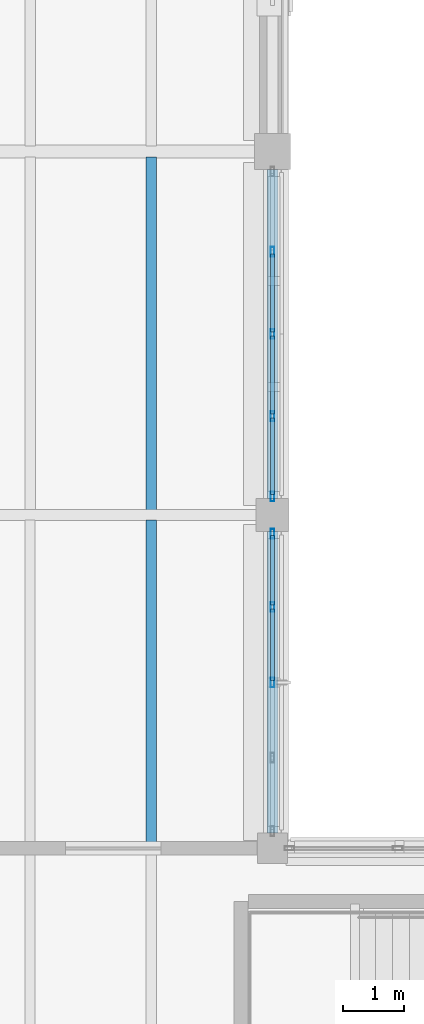
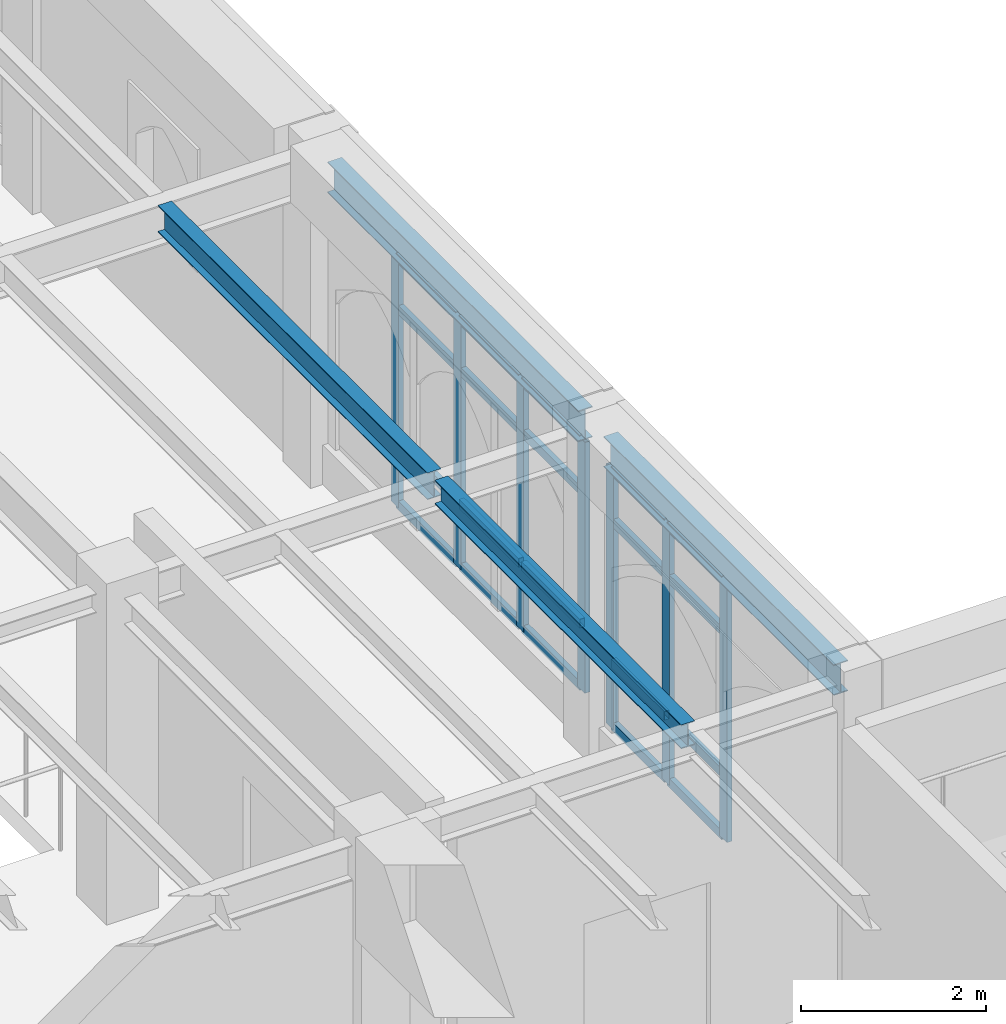
# One storey, part 38 of 127: 27 members, 4 beams, 2 elements without a shape of their own.
"""IFC4 building model written with IfcOpenShell, lengths in metres."""

from ifc_helpers import new_model, si_unit, direction, frame, origin, origin_2d, place, context, subcontext, project, spatial, hollow_rectangle, i_section, extrude, material, layer, layer_set, material_profile, profile_set, type_object, element, aggregate, save


model = new_model("IFC4")

# Units and contexts
model_context = context("Model", 3, precision=1e-05, world=origin(), true_north=direction((0.0, 1.0)))
body_context = subcontext(model_context, "Body", "Model", "MODEL_VIEW")
ifc_project = project(units=[si_unit("LENGTHUNIT", "METRE"), si_unit("AREAUNIT", "SQUARE_METRE"), si_unit("VOLUMEUNIT", "CUBIC_METRE"), si_unit("PLANEANGLEUNIT", "RADIAN"), si_unit("MASSUNIT", "GRAM", prefix="KILO")], contexts=[model_context])

# Site, building, storey
site_placement = place(None, origin())
site = spatial("IfcSite", under=ifc_project, at=site_placement, CompositionType="ELEMENT")
building_placement = place(site_placement, origin())
building = spatial("IfcBuilding", under=site, at=building_placement, Name="Cumevento Cable Car Station", CompositionType="ELEMENT")
storey_placement = place(building_placement, frame((0.0, 0.0, 4.5)))
storey = spatial("IfcBuildingStorey", under=building, at=storey_placement, Name="L02", CompositionType="ELEMENT", Elevation=4.5)

# Curtain wall, members
ifc_material_1 = material(Name="Anodised Bronze Aluminium AW-6063-T6", Category="aluminium")
ifc_layer_1 = layer(ifc_material_1, 0.18994140625)
ifc_layer_set_1 = layer_set([ifc_layer_1], Name="Anodised Bronze Aluminium AW-6063-T6")
curtain_wall_type_1 = type_object("IfcCurtainWallType", Name="Lancet Curtain Wall CW-06 1250", PredefinedType="NOTDEFINED", material=ifc_layer_set_1)
curtain_wall_1_placement = place(storey_placement, origin())
curtain_wall_1 = element("IfcCurtainWall", 1, at=curtain_wall_1_placement, inside=storey, type_object=curtain_wall_type_1, Name="Lancet Curtain Wall CW-06 L02 #37", PredefinedType="NOTDEFINED")
ifc_material_2 = material(Name="Anodised Bronze Aluminium AW-6063-T6", Category="aluminium")
ifc_material_profile_1 = material_profile(ifc_material_2, hollow_rectangle(XDim=0.06494140625, YDim=0.159912109375, WallThickness=0.00390625, at=origin_2d()), Name="ALUM65x160x4")
ifc_profile_set_1 = profile_set([ifc_material_profile_1], Name="Anodised Bronze Aluminium AW-6063-T6")
member_type_1 = type_object("IfcMemberType", Name="Curtain Mullion CWM-01 ALUM65x160x4", PredefinedType="MULLION", material=ifc_profile_set_1)
member_1_placement = place(storey_placement, frame((70.0, 14.6923828125, 0.409912109375), z_axis=(0.0, 0.0, 1.0), x_axis=(1.0, 0.0, 0.0)))
member_1 = element("IfcMember", 2, at=member_1_placement, type_object=member_type_1, Name="CW-06 mullion 1", PredefinedType="MULLION", context=body_context, shape_type="SweptSolid", body=[
    extrude(hollow_rectangle(XDim=0.06494140625, YDim=0.159912109375, WallThickness=0.00390625, at=origin_2d()), origin(), (0.0, 0.0, 1.0), 3.423095703125),
])
member_2_placement = place(storey_placement, frame((70.0, 13.481201171875, 0.409912109375), z_axis=(0.0, 0.0, 1.0), x_axis=(1.0, 0.0, 0.0)))
member_2 = element("IfcMember", 3, at=member_2_placement, type_object=member_type_1, Name="CW-06 mullion 2", PredefinedType="MULLION", context=body_context, shape_type="SweptSolid", body=[
    extrude(hollow_rectangle(XDim=0.06494140625, YDim=0.159912109375, WallThickness=0.00390625, at=origin_2d()), origin(), (0.0, 0.0, 1.0), 3.423095703125),
])
member_3_placement = place(storey_placement, frame((70.0, 12.237548828125, 0.409912109375), z_axis=(0.0, 0.0, 1.0), x_axis=(1.0, 0.0, 0.0)))
member_3 = element("IfcMember", 4, at=member_3_placement, type_object=member_type_1, Name="CW-06 mullion 3", PredefinedType="MULLION", context=body_context, shape_type="SweptSolid", body=[
    extrude(hollow_rectangle(XDim=0.06494140625, YDim=0.159912109375, WallThickness=0.00390625, at=origin_2d()), origin(), (0.0, 0.0, 1.0), 3.423095703125),
])

ifc_material_3 = material(Name="Anodised Bronze Aluminium AW-6063-T6", Category="aluminium")
ifc_layer_2 = layer(ifc_material_3, 0.201904296875)
ifc_layer_set_2 = layer_set([ifc_layer_2], Name="Anodised Bronze Aluminium AW-6063-T6")
curtain_wall_type_2 = type_object("IfcCurtainWallType", Name="Lancet Curtain Wall CW-08 1330", PredefinedType="NOTDEFINED", material=ifc_layer_set_2)
curtain_wall_2_placement = place(storey_placement, origin())
curtain_wall_2 = element("IfcCurtainWall", 5, at=curtain_wall_2_placement, inside=storey, type_object=curtain_wall_type_2, Name="Lancet Curtain Wall CW-08 L02 #39", PredefinedType="NOTDEFINED")
member_4_placement = place(storey_placement, frame((70.0, 19.34375, 0.52001953125), z_axis=(0.0, 0.0, 1.0), x_axis=(1.0, 0.0, 0.0)))
member_4 = element("IfcMember", 6, at=member_4_placement, type_object=member_type_1, Name="CW-08 mullion 2", PredefinedType="MULLION", context=body_context, shape_type="SweptSolid", body=[
    extrude(hollow_rectangle(XDim=0.06494140625, YDim=0.159912109375, WallThickness=0.00390625, at=origin_2d()), origin(), (0.0, 0.0, 1.0), 3.31298828125),
])
member_5_placement = place(storey_placement, frame((70.0, 17.987548828125, 0.52001953125), z_axis=(0.0, 0.0, 1.0), x_axis=(1.0, 0.0, 0.0)))
member_5 = element("IfcMember", 7, at=member_5_placement, type_object=member_type_1, Name="CW-08 mullion 3", PredefinedType="MULLION", context=body_context, shape_type="SweptSolid", body=[
    extrude(hollow_rectangle(XDim=0.06494140625, YDim=0.159912109375, WallThickness=0.00390625, at=origin_2d()), origin(), (0.0, 0.0, 1.0), 3.31298828125),
])
member_6_placement = place(storey_placement, frame((70.0, 16.63134765625, 0.52001953125), z_axis=(0.0, 0.0, 1.0), x_axis=(1.0, 0.0, 0.0)))
member_6 = element("IfcMember", 8, at=member_6_placement, type_object=member_type_1, Name="CW-08 mullion 4", PredefinedType="MULLION", context=body_context, shape_type="SweptSolid", body=[
    extrude(hollow_rectangle(XDim=0.06494140625, YDim=0.159912109375, WallThickness=0.00390625, at=origin_2d()), origin(), (0.0, 0.0, 1.0), 3.31298828125),
])
member_7_placement = place(storey_placement, frame((70.0, 15.3076171875, 0.52001953125), z_axis=(0.0, 0.0, 1.0), x_axis=(1.0, 0.0, 0.0)))
member_7 = element("IfcMember", 9, at=member_7_placement, type_object=member_type_1, Name="CW-08 mullion 5", PredefinedType="MULLION", context=body_context, shape_type="SweptSolid", body=[
    extrude(hollow_rectangle(XDim=0.06494140625, YDim=0.159912109375, WallThickness=0.00390625, at=origin_2d()), origin(), (0.0, 0.0, 1.0), 3.31298828125),
])

# Member
ifc_material_4 = material(Name="Anodised Bronze Aluminium AW-6063-T6", Category="aluminium")
ifc_material_profile_2 = material_profile(ifc_material_4, hollow_rectangle(XDim=0.06494140625, YDim=0.1201171875, WallThickness=0.00390625, at=origin_2d()), Name="ALUT65x120x4")
ifc_profile_set_2 = profile_set([ifc_material_profile_2], Name="Anodised Bronze Aluminium AW-6063-T6")
member_type_2 = type_object("IfcMemberType", Name="Curtain Transom CWT-01 ALUT65x120x4", PredefinedType="USERDEFINED", material=ifc_profile_set_2)
member_8_placement = place(storey_placement, frame((70.0, 14.659912109375, 0.4423828125), z_axis=(0.0, -1.0, 0.0), x_axis=(1.0, 0.0, 0.0)))
member_8 = element("IfcMember", 10, at=member_8_placement, type_object=member_type_2, Name="CW-06 transom 1.1", ObjectType="TRANSOM", PredefinedType="USERDEFINED", context=body_context, shape_type="SweptSolid", body=[
    extrude(hollow_rectangle(XDim=0.06494140625, YDim=0.1201171875, WallThickness=0.00390625, at=origin_2d()), origin(), (0.0, 0.0, 1.0), 1.146240234375),
])

member_9_placement = place(storey_placement, frame((70.0, 14.659912109375, 1.260009765625), z_axis=(0.0, -1.0, 0.0), x_axis=(1.0, 0.0, 0.0)))
member_9 = element("IfcMember", 11, at=member_9_placement, type_object=member_type_2, Name="CW-06 transom 1.2", ObjectType="TRANSOM", PredefinedType="USERDEFINED", context=body_context, shape_type="SweptSolid", body=[
    extrude(hollow_rectangle(XDim=0.06494140625, YDim=0.1201171875, WallThickness=0.00390625, at=origin_2d()), origin(), (0.0, 0.0, 1.0), 1.146240234375),
])

member_10_placement = place(storey_placement, frame((70.0, 14.659912109375, 3.133056640625), z_axis=(0.0, -1.0, 0.0), x_axis=(1.0, 0.0, 0.0)))
member_10 = element("IfcMember", 12, at=member_10_placement, type_object=member_type_2, Name="CW-06 transom 1.3", ObjectType="TRANSOM", PredefinedType="USERDEFINED", context=body_context, shape_type="SweptSolid", body=[
    extrude(hollow_rectangle(XDim=0.06494140625, YDim=0.1201171875, WallThickness=0.00390625, at=origin_2d()), origin(), (0.0, 0.0, 1.0), 1.146240234375),
])

member_11_placement = place(storey_placement, frame((70.0, 14.659912109375, 3.800537109375), z_axis=(0.0, -1.0, 0.0), x_axis=(1.0, 0.0, 0.0)))
member_11 = element("IfcMember", 13, at=member_11_placement, type_object=member_type_2, Name="CW-06 transom 1.4", ObjectType="TRANSOM", PredefinedType="USERDEFINED", context=body_context, shape_type="SweptSolid", body=[
    extrude(hollow_rectangle(XDim=0.06494140625, YDim=0.1201171875, WallThickness=0.00390625, at=origin_2d()), origin(), (0.0, 0.0, 1.0), 1.146240234375),
])

member_12_placement = place(storey_placement, frame((70.0, 13.44873046875, 0.4423828125), z_axis=(0.0, -1.0, 0.0), x_axis=(1.0, 0.0, 0.0)))
member_12 = element("IfcMember", 14, at=member_12_placement, type_object=member_type_2, Name="CW-06 transom 2.1", ObjectType="TRANSOM", PredefinedType="USERDEFINED", context=body_context, shape_type="SweptSolid", body=[
    extrude(hollow_rectangle(XDim=0.06494140625, YDim=0.1201171875, WallThickness=0.00390625, at=origin_2d()), origin(), (0.0, 0.0, 1.0), 1.1787109375),
])

member_13_placement = place(storey_placement, frame((70.0, 13.44873046875, 1.260009765625), z_axis=(0.0, -1.0, 0.0), x_axis=(1.0, 0.0, 0.0)))
member_13 = element("IfcMember", 15, at=member_13_placement, type_object=member_type_2, Name="CW-06 transom 2.2", ObjectType="TRANSOM", PredefinedType="USERDEFINED", context=body_context, shape_type="SweptSolid", body=[
    extrude(hollow_rectangle(XDim=0.06494140625, YDim=0.1201171875, WallThickness=0.00390625, at=origin_2d()), origin(), (0.0, 0.0, 1.0), 1.1787109375),
])

member_14_placement = place(storey_placement, frame((70.0, 13.44873046875, 3.133056640625), z_axis=(0.0, -1.0, 0.0), x_axis=(1.0, 0.0, 0.0)))
member_14 = element("IfcMember", 16, at=member_14_placement, type_object=member_type_2, Name="CW-06 transom 2.3", ObjectType="TRANSOM", PredefinedType="USERDEFINED", context=body_context, shape_type="SweptSolid", body=[
    extrude(hollow_rectangle(XDim=0.06494140625, YDim=0.1201171875, WallThickness=0.00390625, at=origin_2d()), origin(), (0.0, 0.0, 1.0), 1.1787109375),
])

member_15_placement = place(storey_placement, frame((70.0, 13.44873046875, 3.800537109375), z_axis=(0.0, -1.0, 0.0), x_axis=(1.0, 0.0, 0.0)))
member_15 = element("IfcMember", 17, at=member_15_placement, type_object=member_type_2, Name="CW-06 transom 2.4", ObjectType="TRANSOM", PredefinedType="USERDEFINED", context=body_context, shape_type="SweptSolid", body=[
    extrude(hollow_rectangle(XDim=0.06494140625, YDim=0.1201171875, WallThickness=0.00390625, at=origin_2d()), origin(), (0.0, 0.0, 1.0), 1.1787109375),
])

aggregate(curtain_wall_1, [member_1, member_2, member_3, member_8, member_9, member_10, member_11, member_12, member_13, member_14, member_15])

member_16_placement = place(storey_placement, frame((70.0, 19.311279296875, 0.552490234375), z_axis=(0.0, -1.0, 0.0), x_axis=(1.0, 0.0, 0.0)))
member_16 = element("IfcMember", 18, at=member_16_placement, type_object=member_type_2, Name="CW-08 transom 2.1", ObjectType="TRANSOM", PredefinedType="USERDEFINED", context=body_context, shape_type="SweptSolid", body=[
    extrude(hollow_rectangle(XDim=0.06494140625, YDim=0.1201171875, WallThickness=0.00390625, at=origin_2d()), origin(), (0.0, 0.0, 1.0), 1.291259765625),
])

member_17_placement = place(storey_placement, frame((70.0, 19.311279296875, 1.3701171875), z_axis=(0.0, -1.0, 0.0), x_axis=(1.0, 0.0, 0.0)))
member_17 = element("IfcMember", 19, at=member_17_placement, type_object=member_type_2, Name="CW-08 transom 2.2", ObjectType="TRANSOM", PredefinedType="USERDEFINED", context=body_context, shape_type="SweptSolid", body=[
    extrude(hollow_rectangle(XDim=0.06494140625, YDim=0.1201171875, WallThickness=0.00390625, at=origin_2d()), origin(), (0.0, 0.0, 1.0), 1.291259765625),
])

member_18_placement = place(storey_placement, frame((70.0, 19.311279296875, 3.133056640625), z_axis=(0.0, -1.0, 0.0), x_axis=(1.0, 0.0, 0.0)))
member_18 = element("IfcMember", 20, at=member_18_placement, type_object=member_type_2, Name="CW-08 transom 2.3", ObjectType="TRANSOM", PredefinedType="USERDEFINED", context=body_context, shape_type="SweptSolid", body=[
    extrude(hollow_rectangle(XDim=0.06494140625, YDim=0.1201171875, WallThickness=0.00390625, at=origin_2d()), origin(), (0.0, 0.0, 1.0), 1.291259765625),
])

member_19_placement = place(storey_placement, frame((70.0, 19.311279296875, 3.800537109375), z_axis=(0.0, -1.0, 0.0), x_axis=(1.0, 0.0, 0.0)))
member_19 = element("IfcMember", 21, at=member_19_placement, type_object=member_type_2, Name="CW-08 transom 2.4", ObjectType="TRANSOM", PredefinedType="USERDEFINED", context=body_context, shape_type="SweptSolid", body=[
    extrude(hollow_rectangle(XDim=0.06494140625, YDim=0.1201171875, WallThickness=0.00390625, at=origin_2d()), origin(), (0.0, 0.0, 1.0), 1.291259765625),
])

member_20_placement = place(storey_placement, frame((70.0, 17.955078125, 0.552490234375), z_axis=(0.0, -1.0, 0.0), x_axis=(1.0, 0.0, 0.0)))
member_20 = element("IfcMember", 22, at=member_20_placement, type_object=member_type_2, Name="CW-08 transom 3.1", ObjectType="TRANSOM", PredefinedType="USERDEFINED", context=body_context, shape_type="SweptSolid", body=[
    extrude(hollow_rectangle(XDim=0.06494140625, YDim=0.1201171875, WallThickness=0.00390625, at=origin_2d()), origin(), (0.0, 0.0, 1.0), 1.291259765625),
])

member_21_placement = place(storey_placement, frame((70.0, 17.955078125, 1.3701171875), z_axis=(0.0, -1.0, 0.0), x_axis=(1.0, 0.0, 0.0)))
member_21 = element("IfcMember", 23, at=member_21_placement, type_object=member_type_2, Name="CW-08 transom 3.2", ObjectType="TRANSOM", PredefinedType="USERDEFINED", context=body_context, shape_type="SweptSolid", body=[
    extrude(hollow_rectangle(XDim=0.06494140625, YDim=0.1201171875, WallThickness=0.00390625, at=origin_2d()), origin(), (0.0, 0.0, 1.0), 1.291259765625),
])

member_22_placement = place(storey_placement, frame((70.0, 17.955078125, 3.133056640625), z_axis=(0.0, -1.0, 0.0), x_axis=(1.0, 0.0, 0.0)))
member_22 = element("IfcMember", 24, at=member_22_placement, type_object=member_type_2, Name="CW-08 transom 3.3", ObjectType="TRANSOM", PredefinedType="USERDEFINED", context=body_context, shape_type="SweptSolid", body=[
    extrude(hollow_rectangle(XDim=0.06494140625, YDim=0.1201171875, WallThickness=0.00390625, at=origin_2d()), origin(), (0.0, 0.0, 1.0), 1.291259765625),
])

member_23_placement = place(storey_placement, frame((70.0, 17.955078125, 3.800537109375), z_axis=(0.0, -1.0, 0.0), x_axis=(1.0, 0.0, 0.0)))
member_23 = element("IfcMember", 25, at=member_23_placement, type_object=member_type_2, Name="CW-08 transom 3.4", ObjectType="TRANSOM", PredefinedType="USERDEFINED", context=body_context, shape_type="SweptSolid", body=[
    extrude(hollow_rectangle(XDim=0.06494140625, YDim=0.1201171875, WallThickness=0.00390625, at=origin_2d()), origin(), (0.0, 0.0, 1.0), 1.291259765625),
])

member_24_placement = place(storey_placement, frame((70.0, 16.5986328125, 0.552490234375), z_axis=(0.0, -1.0, 0.0), x_axis=(1.0, 0.0, 0.0)))
member_24 = element("IfcMember", 26, at=member_24_placement, type_object=member_type_2, Name="CW-08 transom 4.1", ObjectType="TRANSOM", PredefinedType="USERDEFINED", context=body_context, shape_type="SweptSolid", body=[
    extrude(hollow_rectangle(XDim=0.06494140625, YDim=0.1201171875, WallThickness=0.00390625, at=origin_2d()), origin(), (0.0, 0.0, 1.0), 1.258544921875),
])

member_25_placement = place(storey_placement, frame((70.0, 16.5986328125, 1.3701171875), z_axis=(0.0, -1.0, 0.0), x_axis=(1.0, 0.0, 0.0)))
member_25 = element("IfcMember", 27, at=member_25_placement, type_object=member_type_2, Name="CW-08 transom 4.2", ObjectType="TRANSOM", PredefinedType="USERDEFINED", context=body_context, shape_type="SweptSolid", body=[
    extrude(hollow_rectangle(XDim=0.06494140625, YDim=0.1201171875, WallThickness=0.00390625, at=origin_2d()), origin(), (0.0, 0.0, 1.0), 1.258544921875),
])

member_26_placement = place(storey_placement, frame((70.0, 16.5986328125, 3.133056640625), z_axis=(0.0, -1.0, 0.0), x_axis=(1.0, 0.0, 0.0)))
member_26 = element("IfcMember", 28, at=member_26_placement, type_object=member_type_2, Name="CW-08 transom 4.3", ObjectType="TRANSOM", PredefinedType="USERDEFINED", context=body_context, shape_type="SweptSolid", body=[
    extrude(hollow_rectangle(XDim=0.06494140625, YDim=0.1201171875, WallThickness=0.00390625, at=origin_2d()), origin(), (0.0, 0.0, 1.0), 1.258544921875),
])

member_27_placement = place(storey_placement, frame((70.0, 16.5986328125, 3.800537109375), z_axis=(0.0, -1.0, 0.0), x_axis=(1.0, 0.0, 0.0)))
member_27 = element("IfcMember", 29, at=member_27_placement, type_object=member_type_2, Name="CW-08 transom 4.4", ObjectType="TRANSOM", PredefinedType="USERDEFINED", context=body_context, shape_type="SweptSolid", body=[
    extrude(hollow_rectangle(XDim=0.06494140625, YDim=0.1201171875, WallThickness=0.00390625, at=origin_2d()), origin(), (0.0, 0.0, 1.0), 1.258544921875),
])

aggregate(curtain_wall_2, [member_4, member_5, member_6, member_7, member_16, member_17, member_18, member_19, member_20, member_21, member_22, member_23, member_24, member_25, member_26, member_27])

# Beams
ifc_material_5 = material(Name="Steel ASTM A572 Grade 50", Category="steel")
ifc_material_profile_3 = material_profile(ifc_material_5, i_section(OverallWidth=0.1708984375, OverallDepth=0.35498046875, WebThickness=0.007080078125, FlangeThickness=0.01171875, at=origin_2d()), Name="W360x51.0")
ifc_profile_set_3 = profile_set([ifc_material_profile_3], Name="Steel ASTM A572 Grade 50")
beam_type_1 = type_object("IfcBeamType", Name="Structural Joist JS-01 W360x51.0", PredefinedType="JOIST", material=ifc_profile_set_3)
beam_1_placement = place(storey_placement, frame((68.0, 15.077880859375, 4.0625), z_axis=(0.0, 1.0, 0.0), x_axis=(-1.0, 0.0, 0.0)))
element("IfcBeam", 30, at=beam_1_placement, inside=storey, type_object=beam_type_1, Name="Composite Floor Joist JS-01 L02 #766", PredefinedType="JOIST", context=body_context, shape_type="SweptSolid", body=[
    extrude(i_section(OverallWidth=0.1708984375, OverallDepth=0.35498046875, WebThickness=0.007080078125, FlangeThickness=0.01171875, at=origin_2d()), origin(), (0.0, 0.0, 1.0), 5.82861328125),
])
ifc_material_6 = material(Name="Steel ASTM A572 Grade 50", Category="steel")
ifc_material_profile_4 = material_profile(ifc_material_6, i_section(OverallWidth=0.1669921875, OverallDepth=0.31689453125, WebThickness=0.007568359375, FlangeThickness=0.01318359375, at=origin_2d()), Name="W310x52.0")
ifc_profile_set_4 = profile_set([ifc_material_profile_4], Name="Steel ASTM A572 Grade 50")
beam_type_2 = type_object("IfcBeamType", Name="Structural Joist JS-02 W310x52.0", PredefinedType="JOIST", material=ifc_profile_set_4)
beam_2_placement = place(storey_placement, frame((68.0, 9.590576171875, 4.08154296875), z_axis=(0.0, 1.0, 0.0), x_axis=(-1.0, 0.0, 0.0)))
element("IfcBeam", 31, at=beam_2_placement, inside=storey, type_object=beam_type_2, Name="Composite Floor Joist JS-02 L02 #765", PredefinedType="JOIST", context=body_context, shape_type="SweptSolid", body=[
    extrude(i_section(OverallWidth=0.1669921875, OverallDepth=0.31689453125, WebThickness=0.007568359375, FlangeThickness=0.01318359375, at=origin_2d()), origin(), (0.0, 0.0, 1.0), 5.33154296875),
])
ifc_material_7 = material(Name="Steel ASTM A572 Grade 50", Category="steel")
ifc_material_profile_5 = material_profile(ifc_material_7, i_section(OverallWidth=0.177978515625, OverallDepth=0.406982421875, WebThickness=0.0078125, FlangeThickness=0.0126953125, at=origin_2d()), Name="W410x60.0")
ifc_profile_set_5 = profile_set([ifc_material_profile_5], Name="Steel ASTM A572 Grade 50")
beam_type_3 = type_object("IfcBeamType", Name="Structural Spandrel SP-01 W410x60.0", PredefinedType="SPANDREL", material=ifc_profile_set_5)
beam_3_placement = place(storey_placement, frame((70.0, 9.75, 4.03662109375), z_axis=(0.0, 1.0, 0.0), x_axis=(-1.0, 0.0, 0.0)))
element("IfcBeam", 32, at=beam_3_placement, inside=storey, type_object=beam_type_3, Name="Beam SP-01 L02 #497", PredefinedType="SPANDREL", context=body_context, shape_type="SweptSolid", body=[
    extrude(i_section(OverallWidth=0.177978515625, OverallDepth=0.406982421875, WebThickness=0.0078125, FlangeThickness=0.0126953125, at=origin_2d()), origin(), (0.0, 0.0, 1.0), 4.97509765625),
])
beam_4_placement = place(storey_placement, frame((70.0, 15.27490234375, 4.03662109375), z_axis=(0.0, 1.0, 0.0), x_axis=(-1.0, 0.0, 0.0)))
element("IfcBeam", 33, at=beam_4_placement, inside=storey, type_object=beam_type_3, Name="Beam SP-01 L02 #498", PredefinedType="SPANDREL", context=body_context, shape_type="SweptSolid", body=[
    extrude(i_section(OverallWidth=0.177978515625, OverallDepth=0.406982421875, WebThickness=0.0078125, FlangeThickness=0.0126953125, at=origin_2d()), origin(), (0.0, 0.0, 1.0), 5.425048828125),
])

save(model, "model.ifc")
